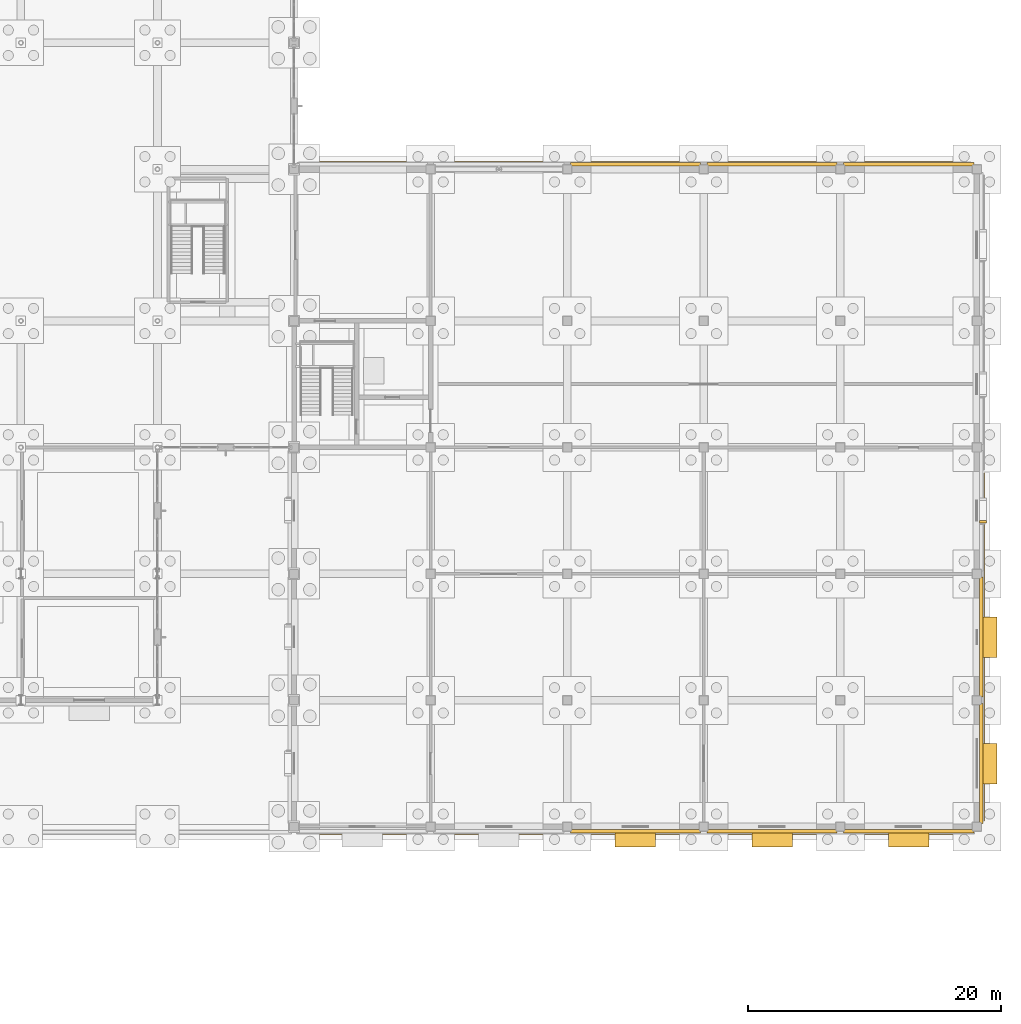
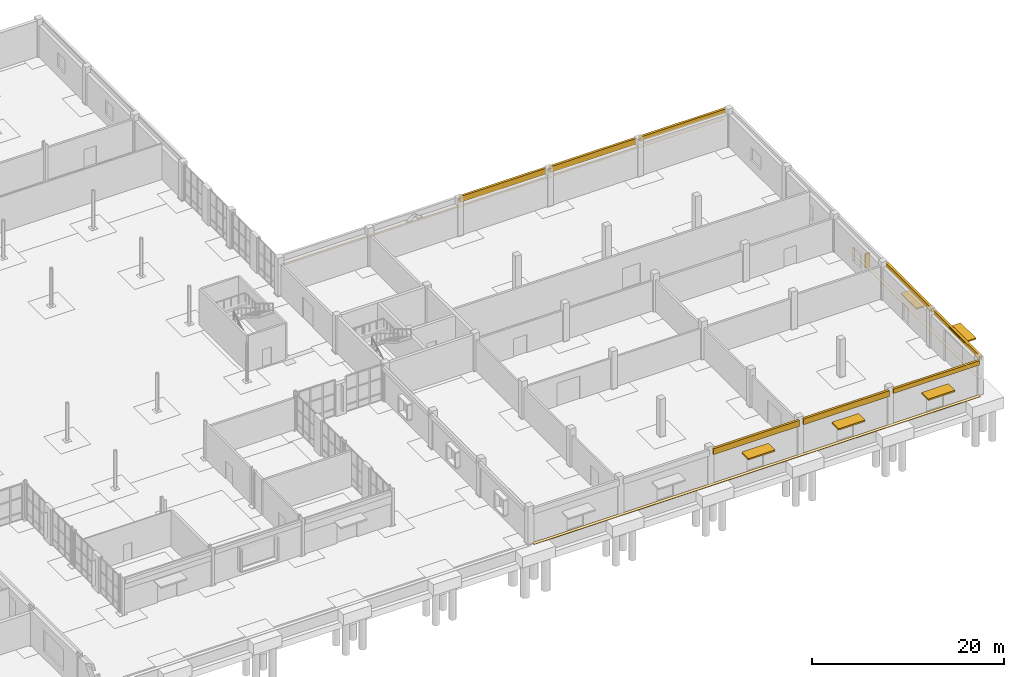
# One storey, part 71 of 73: 12 coverings, 5 shading devices.
"""IFC4 building model written with IfcOpenShell, lengths in metres."""

from ifc_helpers import new_model, si_unit, direction, frame, origin, origin_2d, place, context, subcontext, project, spatial, rectangle, extrude, material, layer, layer_set, type_object, element, save


model = new_model("IFC4")

# Units and contexts
model_context = context("Model", 3, precision=1e-05, world=origin(), true_north=direction((0.0, 1.0)))
body_context = subcontext(model_context, "Body", "Model", "MODEL_VIEW")
ifc_project = project(units=[si_unit("LENGTHUNIT", "METRE"), si_unit("AREAUNIT", "SQUARE_METRE"), si_unit("VOLUMEUNIT", "CUBIC_METRE"), si_unit("PLANEANGLEUNIT", "RADIAN"), si_unit("MASSUNIT", "GRAM", prefix="KILO")], contexts=[model_context])

# Site, building, storey
site_placement = place(None, origin())
site = spatial("IfcSite", under=ifc_project, at=site_placement, CompositionType="ELEMENT")
building_placement = place(site_placement, origin())
building = spatial("IfcBuilding", under=site, at=building_placement, Name="Tasgan Crest Museum", CompositionType="ELEMENT")
storey_placement = place(building_placement, origin())
storey = spatial("IfcBuildingStorey", under=building, at=storey_placement, Name="L00", CompositionType="ELEMENT", Elevation=0.0)

# Coverings
ifc_material_1 = material(Name="Honed Rose-Red Mongolian Granite", Category="masonry")
ifc_layer_1 = layer(ifc_material_1, 0.0400390625, Name="COV-GRANITE-ROSE")
ifc_layer_set_1 = layer_set([ifc_layer_1], Name="Honed Rose-Red Mongolian Granite")
covering_type_1 = type_object("IfcCoveringType", Name="COV-GRANITE-ROSE", PredefinedType="CLADDING", material=ifc_layer_set_1)
covering_1_placement = place(storey_placement, frame((162.485107421875, 34.110107421875, 1.2001953125), z_axis=(0.0, 0.0, 1.0), x_axis=(0.0, 1.0, 0.0)))
element("IfcCovering", 1, at=covering_1_placement, inside=storey, type_object=covering_type_1, Name="Deep window reveal jamb L00-010", PredefinedType="CLADDING", context=body_context, shape_type="SweptSolid", body=[
    extrude(rectangle(XDim=0.179931640625, YDim=0.550048828125, at=origin_2d()), origin(), (0.0, 0.0, 1.0), 1.800048828125),
])
ifc_material_2 = material(Name="Honed Buff Limestone", Category="masonry")
ifc_layer_2 = layer(ifc_material_2, 0.044921875, Name="COV-LIMESTONE-BUFF")
ifc_layer_set_2 = layer_set([ifc_layer_2], Name="Honed Buff Limestone")
covering_type_2 = type_object("IfcCoveringType", Name="COV-LIMESTONE-BUFF", PredefinedType="CLADDING", material=ifc_layer_set_2)
covering_2_placement = place(storey_placement, frame((135.0, 9.570068359375, -0.02001953125), z_axis=(0.0, 0.0, 1.0), x_axis=(1.0, 0.0, 0.0)))
element("IfcCovering", 2, at=covering_2_placement, inside=storey, type_object=covering_type_2, Name="Hillside plinth stone coping S-EAST", PredefinedType="CLADDING", context=body_context, shape_type="SweptSolid", body=[
    extrude(rectangle(XDim=53.60009765625, YDim=0.3798828125, at=origin_2d()), origin(), (0.0, 0.0, 1.0), 0.050048828125),
])
covering_3_placement = place(storey_placement, frame((162.429931640625, 24.22509765625, 1.39990234375), z_axis=(0.0, 0.0, 1.0), x_axis=(0.0, 1.0, 0.0)))
element("IfcCovering", 3, at=covering_3_placement, inside=storey, type_object=covering_type_2, Name="Hillside plinth stone coping E-LOW", PredefinedType="CLADDING", context=body_context, shape_type="SweptSolid", body=[
    extrude(rectangle(XDim=27.550048828125, YDim=0.3798828125, at=origin_2d()), origin(), (0.0, 0.0, 1.0), 0.050048828125),
])
covering_4_placement = place(storey_placement, frame((134.949951171875, 62.429931640625, 3.2001953125), z_axis=(0.0, 0.0, 1.0), x_axis=(1.0, 0.0, 0.0)))
element("IfcCovering", 4, at=covering_4_placement, inside=storey, type_object=covering_type_2, Name="Hillside plinth stone coping N-EAST", PredefinedType="CLADDING", context=body_context, shape_type="SweptSolid", body=[
    extrude(rectangle(XDim=53.199951171875, YDim=0.3798828125, at=origin_2d()), origin(), (0.0, 0.0, 1.0), 0.050048828125),
])
for number, where, z_axis, x_axis, name in (
    (5, (135.0, 9.64990234375, 3.76904296875), (0.0, 0.0, 1.0), (1.0, 0.0, 0.0), "Stone frieze cladding L00"),
    (6, (145.800048828125, 9.64990234375, 3.76904296875), (0.0, 0.0, 1.0), (1.0, 0.0, 0.0), "Stone frieze cladding L00"),
):
    element("IfcCovering", number, at=place(storey_placement, frame(where, z_axis=z_axis, x_axis=x_axis)), inside=storey, type_object=covering_type_2, Name=name, PredefinedType="CLADDING", context=body_context, shape_type="SweptSolid", body=[
        extrude(rectangle(XDim=10.31005859375, YDim=0.280029296875, at=origin_2d()), origin(), (0.0, 0.0, 1.0), 0.740966796875),
    ])
covering_5_placement = place(storey_placement, frame((156.60009765625, 9.64990234375, 3.9599609375), z_axis=(0.0, 0.0, 1.0), x_axis=(1.0, 0.0, 0.0)))
element("IfcCovering", 7, at=covering_5_placement, inside=storey, type_object=covering_type_2, Name="Stone frieze cladding L00", PredefinedType="CLADDING", context=body_context, shape_type="SweptSolid", body=[
    extrude(rectangle(XDim=10.31005859375, YDim=0.280029296875, at=origin_2d()), origin(), (0.0, 0.0, 1.0), 0.550048828125),
])
for number, where, z_axis, x_axis, name in (
    (8, (162.35009765625, 15.0, 3.9599609375), (0.0, 0.0, 1.0), (0.0, 1.0, 0.0), "Stone frieze cladding L00"),
    (9, (162.35009765625, 25.0, 3.9599609375), (0.0, 0.0, 1.0), (0.0, 1.0, 0.0), "Stone frieze cladding L00"),
):
    element("IfcCovering", number, at=place(storey_placement, frame(where, z_axis=z_axis, x_axis=x_axis)), inside=storey, type_object=covering_type_2, Name=name, PredefinedType="CLADDING", context=body_context, shape_type="SweptSolid", body=[
        extrude(rectangle(XDim=9.510009765625, YDim=0.280029296875, at=origin_2d()), origin(), (0.0, 0.0, 1.0), 0.550048828125),
    ])
covering_6_placement = place(storey_placement, frame((156.60009765625, 62.39990234375, 3.9599609375), z_axis=(0.0, 0.0, 1.0), x_axis=(-1.0, 0.0, 0.0)))
element("IfcCovering", 10, at=covering_6_placement, inside=storey, type_object=covering_type_2, Name="Stone frieze cladding L00", PredefinedType="CLADDING", context=body_context, shape_type="SweptSolid", body=[
    extrude(rectangle(XDim=10.31005859375, YDim=0.280029296875, at=origin_2d()), origin(), (0.0, 0.0, 1.0), 0.550048828125),
])
for number, where, z_axis, x_axis, name in (
    (11, (145.800048828125, 62.39990234375, 3.76904296875), (0.0, 0.0, 1.0), (-1.0, 0.0, 0.0), "Stone frieze cladding L00"),
    (12, (135.0, 62.39990234375, 3.76904296875), (0.0, 0.0, 1.0), (-1.0, 0.0, 0.0), "Stone frieze cladding L00"),
):
    element("IfcCovering", number, at=place(storey_placement, frame(where, z_axis=z_axis, x_axis=x_axis)), inside=storey, type_object=covering_type_2, Name=name, PredefinedType="CLADDING", context=body_context, shape_type="SweptSolid", body=[
        extrude(rectangle(XDim=10.31005859375, YDim=0.280029296875, at=origin_2d()), origin(), (0.0, 0.0, 1.0), 0.740966796875),
    ])

# Shading devices
ifc_material_3 = material(Name="Galvanised Steel Snow Canopy", Category="steel")
shading_device_type = type_object("IfcShadingDeviceType", Name="SH-AWNING-SNOW", PredefinedType="AWNING", material=ifc_material_3)
for number, where, z_axis, x_axis, name in (
    (13, (135.0, 9.090087890625, 2.51025390625), (0.0, 0.0, 1.0), (1.0, 0.0, 0.0), "Entrance snow canopy ED007"),
    (14, (145.800048828125, 9.090087890625, 2.51025390625), (0.0, 0.0, 1.0), (1.0, 0.0, 0.0), "Entrance snow canopy ED008"),
    (15, (156.60009765625, 9.090087890625, 2.51025390625), (0.0, 0.0, 1.0), (1.0, 0.0, 0.0), "Entrance snow canopy ED009"),
    (16, (162.909912109375, 15.0, 4.2099609375), (0.0, 0.0, 1.0), (0.0, 1.0, 0.0), "Entrance snow canopy ED010"),
    (17, (162.909912109375, 25.0, 2.41015625), (0.0, 0.0, 1.0), (0.0, 1.0, 0.0), "Entrance snow canopy ED011"),
):
    element("IfcShadingDevice", number, at=place(storey_placement, frame(where, z_axis=z_axis, x_axis=x_axis)), inside=storey, type_object=shading_device_type, Name=name, PredefinedType="AWNING", context=body_context, shape_type="SweptSolid", body=[
        extrude(rectangle(XDim=3.199951171875, YDim=1.39990234375, at=origin_2d()), origin(), (0.0, 0.0, 1.0), 0.179931640625),
    ])

save(model, "model.ifc")
